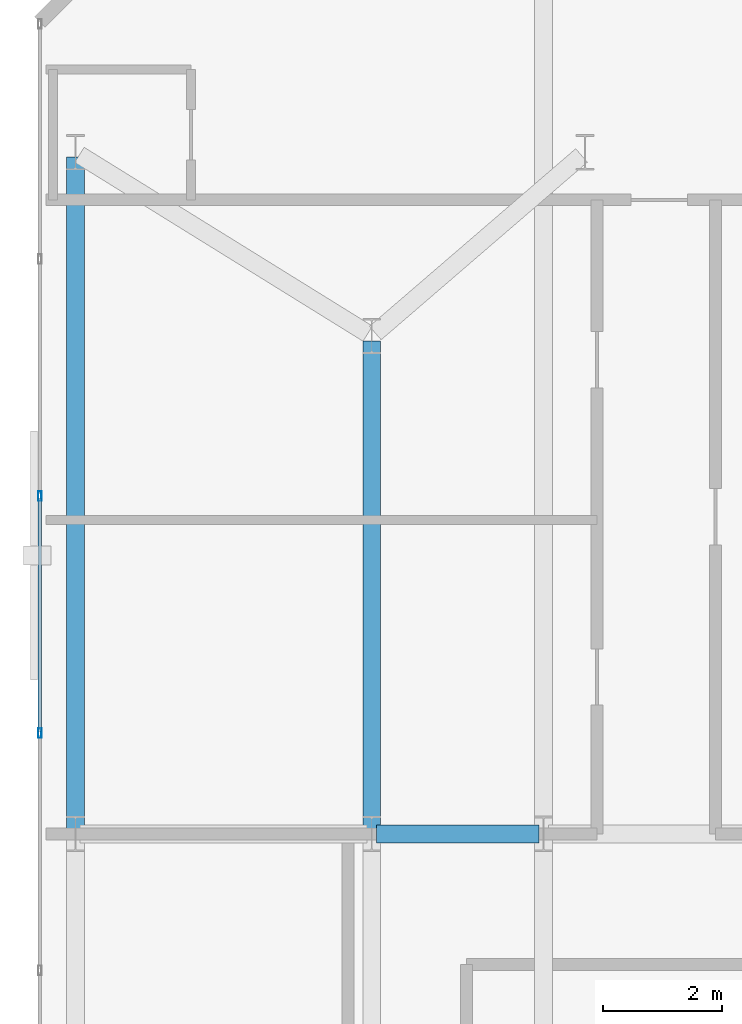
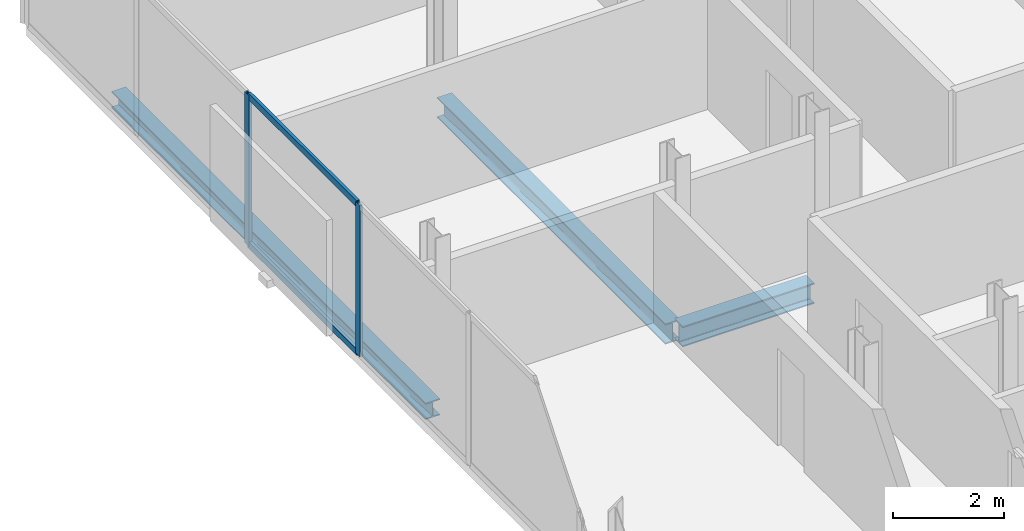
# One storey, part 11 of 32: 4 members, 3 beams, 1 element without a shape of its own.
"""IFC4 building model written with IfcOpenShell, lengths in metres."""

from ifc_helpers import new_model, si_unit, direction, frame, origin, origin_2d, place, context, subcontext, project, spatial, hollow_rectangle, i_section, extrude, material, layer, layer_set, material_profile, profile_set, type_object, element, aggregate, save


model = new_model("IFC4")

# Units and contexts
model_context = context("Model", 3, precision=1e-05, world=origin(), true_north=direction((0.0, 1.0)))
body_context = subcontext(model_context, "Body", "Model", "MODEL_VIEW")
ifc_project = project(units=[si_unit("LENGTHUNIT", "METRE"), si_unit("AREAUNIT", "SQUARE_METRE"), si_unit("VOLUMEUNIT", "CUBIC_METRE"), si_unit("PLANEANGLEUNIT", "RADIAN"), si_unit("MASSUNIT", "GRAM", prefix="KILO")], contexts=[model_context])

# Site, building, storey
site_placement = place(None, origin())
site = spatial("IfcSite", under=ifc_project, at=site_placement, CompositionType="ELEMENT")
building_placement = place(site_placement, origin())
building = spatial("IfcBuilding", under=site, at=building_placement, Name="Catumbela Crestline Tower", CompositionType="ELEMENT")
storey_placement = place(building_placement, frame((0.0, 0.0, 126.0)))
storey = spatial("IfcBuildingStorey", under=building, at=storey_placement, Name="L32", CompositionType="ELEMENT", Elevation=126.0)

# Beams
ifc_material_1 = material(Name="Structural steel S355J2", Category="steel")
ifc_material_profile_1 = material_profile(ifc_material_1, i_section(OverallWidth=0.3, OverallDepth=0.45, WebThickness=0.014, FlangeThickness=0.026, FilletRadius=0.027, at=origin_2d()), Name="HEB 450")
ifc_profile_set_1 = profile_set([ifc_material_profile_1], Name="Structural steel S355J2")
beam_type_1 = type_object("IfcBeamType", Name="BG-HEB450", PredefinedType="BEAM", material=ifc_profile_set_1)
beam_1_placement = place(storey_placement, frame((5.68, 30.8, -0.485), z_axis=(1.0, 0.0, 0.0), x_axis=(0.0, 1.0, 0.0)))
element("IfcBeam", 1, at=beam_1_placement, inside=storey, type_object=beam_type_1, Name="L32 Beam BM-L32-M08", PredefinedType="BEAM", context=body_context, shape_type="SweptSolid", body=[
    extrude(i_section(OverallWidth=0.3, OverallDepth=0.45, WebThickness=0.014, FlangeThickness=0.026, FilletRadius=0.027, at=origin_2d()), origin(), (0.0, 0.0, 1.0), 2.74),
])
beam_2_placement = place(storey_placement, frame((5.6, 30.88, -0.485), z_axis=(0.0, 1.0, 0.0), x_axis=(-1.0, 0.0, 0.0)))
element("IfcBeam", 2, at=beam_2_placement, inside=storey, type_object=beam_type_1, Name="L32 Beam BM-L32-SN25", PredefinedType="BEAM", context=body_context, shape_type="SweptSolid", body=[
    extrude(i_section(OverallWidth=0.3, OverallDepth=0.45, WebThickness=0.014, FlangeThickness=0.026, FilletRadius=0.027, at=origin_2d()), origin(), (0.0, 0.0, 1.0), 8.24),
])

# Curtain wall, members
ifc_material_2 = material(Name="Aluminium alloy AW-6060-T66", Category="aluminium")
ifc_layer = layer(ifc_material_2, 0.18, Name="Aluminium alloy AW-6060-T66")
ifc_layer_set = layer_set([ifc_layer], Name="Aluminium alloy AW-6060-T66")
curtain_wall_type = type_object("IfcCurtainWallType", Name="CWU-Z2", PredefinedType="USERDEFINED", material=ifc_layer_set)
curtain_wall_placement = place(storey_placement, origin())
curtain_wall = element("IfcCurtainWall", 3, at=curtain_wall_placement, inside=storey, type_object=curtain_wall_type, Name="L32 Unitised Curtain Wall CW-L32-E9S1", ObjectType="UNITISED", PredefinedType="USERDEFINED")
ifc_material_profile_2 = material_profile(ifc_material_2, hollow_rectangle(XDim=0.06, YDim=0.16, WallThickness=0.004, at=origin_2d()), Name="ALU 160x60x4")
ifc_profile_set_2 = profile_set([ifc_material_profile_2], Name="Aluminium alloy AW-6060-T66")
member_type_1 = type_object("IfcMemberType", Name="MUL-160X60", PredefinedType="MULLION", material=ifc_profile_set_2)
member_1_placement = place(storey_placement, frame((0.0, 36.5, 0.0), z_axis=(0.0, 0.0, 1.0), x_axis=(1.0, 0.0, 0.0)))
member_1 = element("IfcMember", 4, at=member_1_placement, type_object=member_type_1, Name="CWU-Z2 mullion 3", PredefinedType="MULLION", context=body_context, shape_type="SweptSolid", body=[
    extrude(hollow_rectangle(XDim=0.06, YDim=0.16, WallThickness=0.004, at=origin_2d()), origin(), (0.0, 0.0, 1.0), 3.33),
])
member_2_placement = place(storey_placement, frame((0.0, 32.5, 0.0), z_axis=(0.0, 0.0, 1.0), x_axis=(1.0, 0.0, 0.0)))
member_2 = element("IfcMember", 5, at=member_2_placement, type_object=member_type_1, Name="CWU-Z2 mullion 4", PredefinedType="MULLION", context=body_context, shape_type="SweptSolid", body=[
    extrude(hollow_rectangle(XDim=0.06, YDim=0.16, WallThickness=0.004, at=origin_2d()), origin(), (0.0, 0.0, 1.0), 3.33),
])

# Beam
ifc_material_profile_3 = material_profile(ifc_material_1, i_section(OverallWidth=0.3, OverallDepth=0.36, WebThickness=0.0125, FlangeThickness=0.0225, FilletRadius=0.027, at=origin_2d()), Name="HEB 360")
ifc_profile_set_3 = profile_set([ifc_material_profile_3], Name="Structural steel S355J2")
beam_type_2 = type_object("IfcBeamType", Name="BS-HEB360", PredefinedType="SPANDREL", material=ifc_profile_set_3)
beam_3_placement = place(storey_placement, frame((0.6, 30.88, -0.44), z_axis=(0.0, 1.0, 0.0), x_axis=(-1.0, 0.0, 0.0)))
element("IfcBeam", 6, at=beam_3_placement, inside=storey, type_object=beam_type_2, Name="L32 Spandrel SP-L32-SN23", PredefinedType="SPANDREL", context=body_context, shape_type="SweptSolid", body=[
    extrude(i_section(OverallWidth=0.3, OverallDepth=0.36, WebThickness=0.0125, FlangeThickness=0.0225, FilletRadius=0.027, at=origin_2d()), origin(), (0.0, 0.0, 1.0), 11.34),
])

# Member
ifc_material_profile_4 = material_profile(ifc_material_2, hollow_rectangle(XDim=0.06, YDim=0.14, WallThickness=0.004, at=origin_2d()), Name="ALU 140x60x4")
ifc_profile_set_4 = profile_set([ifc_material_profile_4], Name="Aluminium alloy AW-6060-T66")
member_type_2 = type_object("IfcMemberType", Name="TRN-140X60", PredefinedType="USERDEFINED", material=ifc_profile_set_4)
member_3_placement = place(storey_placement, frame((0.0, 36.4675, 0.03), z_axis=(0.0, -1.0, 0.0), x_axis=(1.0, 0.0, 0.0)))
member_3 = element("IfcMember", 7, at=member_3_placement, type_object=member_type_2, Name="CWU-Z2 transom 3.1", ObjectType="TRANSOM", PredefinedType="USERDEFINED", context=body_context, shape_type="SweptSolid", body=[
    extrude(hollow_rectangle(XDim=0.06, YDim=0.14, WallThickness=0.004, at=origin_2d()), origin(), (0.0, 0.0, 1.0), 3.935),
])

member_4_placement = place(storey_placement, frame((0.0, 36.4675, 3.3), z_axis=(0.0, -1.0, 0.0), x_axis=(1.0, 0.0, 0.0)))
member_4 = element("IfcMember", 8, at=member_4_placement, type_object=member_type_2, Name="CWU-Z2 transom 3.2", ObjectType="TRANSOM", PredefinedType="USERDEFINED", context=body_context, shape_type="SweptSolid", body=[
    extrude(hollow_rectangle(XDim=0.06, YDim=0.14, WallThickness=0.004, at=origin_2d()), origin(), (0.0, 0.0, 1.0), 3.935),
])

aggregate(curtain_wall, [member_1, member_2, member_3, member_4])

save(model, "model.ifc")
